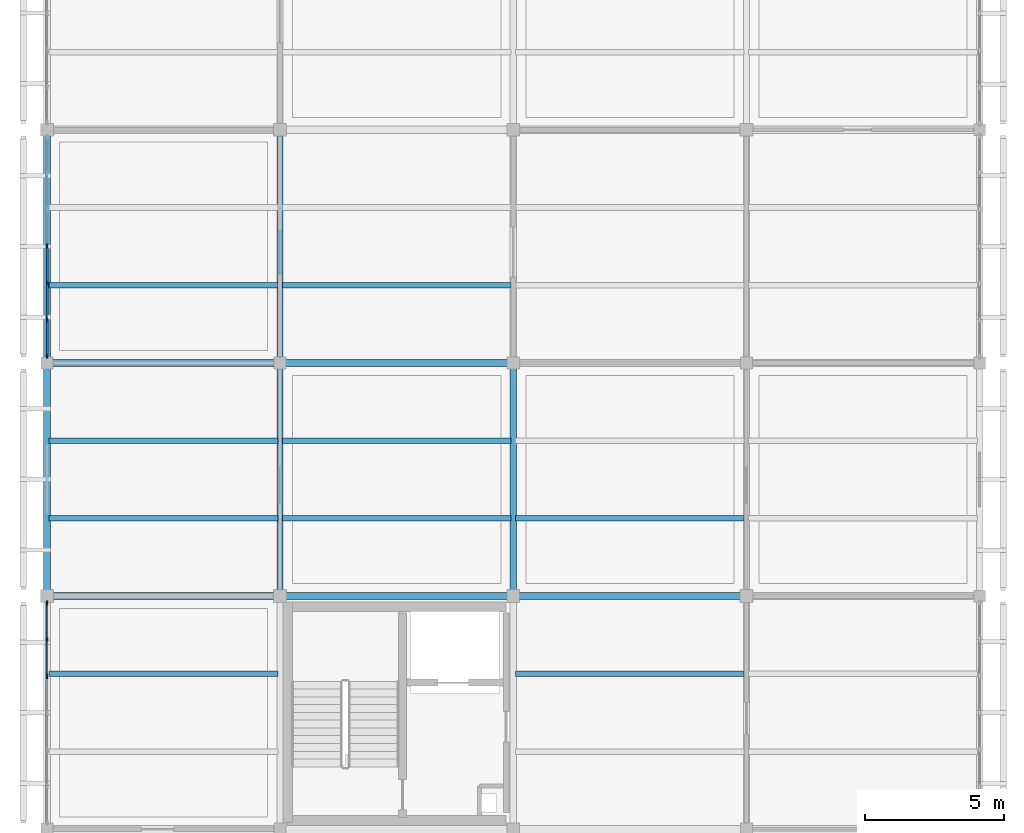
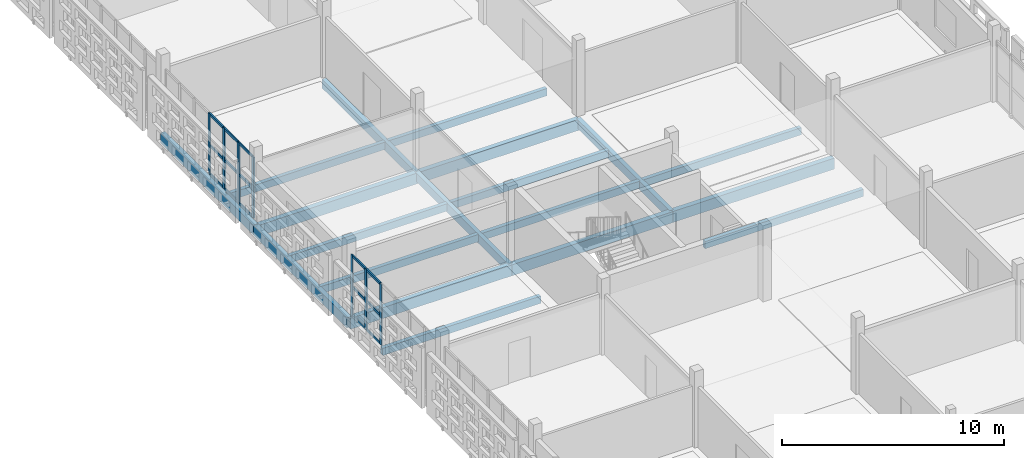
# One storey, part 39 of 140: 22 members, 19 beams, 2 elements without a shape of their own.
"""IFC4 building model written with IfcOpenShell, lengths in metres."""

from ifc_helpers import new_model, si_unit, direction, frame, origin, origin_2d, place, context, subcontext, project, spatial, rectangle, extrude, material, layer, layer_set, material_profile, profile_set, type_object, element, aggregate, save


model = new_model("IFC4")

# Units and contexts
model_context = context("Model", 3, precision=1e-05, world=origin(), true_north=direction((0.0, 1.0)))
body_context = subcontext(model_context, "Body", "Model", "MODEL_VIEW")
ifc_project = project(units=[si_unit("LENGTHUNIT", "METRE"), si_unit("AREAUNIT", "SQUARE_METRE"), si_unit("VOLUMEUNIT", "CUBIC_METRE"), si_unit("PLANEANGLEUNIT", "RADIAN"), si_unit("MASSUNIT", "GRAM", prefix="KILO")], contexts=[model_context])

# Site, building, storey
site_placement = place(None, origin())
site = spatial("IfcSite", under=ifc_project, at=site_placement, CompositionType="ELEMENT")
building_placement = place(site_placement, origin())
building = spatial("IfcBuilding", under=site, at=building_placement, Name="Varnapada Polytechnic", CompositionType="ELEMENT")
storey_placement = place(building_placement, frame((0.0, 0.0, 13.800048828125)))
storey = spatial("IfcBuildingStorey", under=building, at=storey_placement, Name="L03", CompositionType="ELEMENT", Elevation=13.800048828125)

# Beams
ifc_material_1 = material(Name="Glulam GL32h", Category="wood")
ifc_material_profile_1 = material_profile(ifc_material_1, rectangle(XDim=0.199951171875, YDim=0.39990234375, at=origin_2d()), Name="GL 200x400")
ifc_profile_set_1 = profile_set([ifc_material_profile_1], Name="Glulam GL32h")
beam_type_1 = type_object("IfcBeamType", Name="Library/laboratory glulam floor joist GJ-01 (GL 200x400)", PredefinedType="JOIST", material=ifc_profile_set_1)
for number, where, z_axis, x_axis, name in (
    (1, (0.080078125, 64.39990234375, -0.43994140625), (1.0, 0.0, 0.0), (0.0, 1.0, 0.0), "L03 floor joist 1/8.2"),
    (2, (0.080078125, 70.0, -0.43994140625), (1.0, 0.0, 0.0), (0.0, 1.0, 0.0), "L03 floor joist 1/9.1"),
    (3, (0.080078125, 72.800048828125, -0.43994140625), (1.0, 0.0, 0.0), (0.0, 1.0, 0.0), "L03 floor joist 1/9.2"),
    (4, (0.080078125, 78.39990234375, -0.43994140625), (1.0, 0.0, 0.0), (0.0, 1.0, 0.0), "L03 floor joist 1/10.1"),
    (5, (8.47998046875, 70.0, -0.43994140625), (1.0, 0.0, 0.0), (0.0, 1.0, 0.0), "L03 floor joist 2/9.1"),
    (6, (8.47998046875, 72.800048828125, -0.43994140625), (1.0, 0.0, 0.0), (0.0, 1.0, 0.0), "L03 floor joist 2/9.2"),
    (7, (8.47998046875, 78.39990234375, -0.43994140625), (1.0, 0.0, 0.0), (0.0, 1.0, 0.0), "L03 floor joist 2/10.1"),
):
    element("IfcBeam", number, at=place(storey_placement, frame(where, z_axis=z_axis, x_axis=x_axis)), inside=storey, type_object=beam_type_1, Name=name, PredefinedType="JOIST", context=body_context, shape_type="SweptSolid", body=[
        extrude(rectangle(XDim=0.199951171875, YDim=0.39990234375, at=origin_2d()), origin(), (0.0, 0.0, 1.0), 8.239990234375),
    ])
for number, where, z_axis, x_axis, name in (
    (8, (16.8798828125, 64.39990234375, -0.43994140625), (1.0, 0.0, 0.0), (0.0, 1.0, 0.0), "L03 floor joist 3/8.2"),
    (9, (16.8798828125, 70.0, -0.43994140625), (1.0, 0.0, 0.0), (0.0, 1.0, 0.0), "L03 floor joist 3/9.1"),
):
    element("IfcBeam", number, at=place(storey_placement, frame(where, z_axis=z_axis, x_axis=x_axis)), inside=storey, type_object=beam_type_1, Name=name, PredefinedType="JOIST", context=body_context, shape_type="SweptSolid", body=[
        extrude(rectangle(XDim=0.199951171875, YDim=0.39990234375, at=origin_2d()), origin(), (0.0, 0.0, 1.0), 8.240234375),
    ])

# Curtain wall, members
ifc_material_2 = material(Name="Double low-E laminated glass", Category="glass")
ifc_layer = layer(ifc_material_2, 0.179931640625)
ifc_layer_set = layer_set([ifc_layer], Name="Double low-E laminated glass")
curtain_wall_type = type_object("IfcCurtainWallType", Name="Curtain Wall CW-03", PredefinedType="NOTDEFINED", material=ifc_layer_set)
curtain_wall_1_placement = place(storey_placement, origin())
curtain_wall_1 = element("IfcCurtainWall", 10, at=curtain_wall_1_placement, inside=storey, type_object=curtain_wall_type, Name="L03 unitised curtain wall CW-03 (206)", PredefinedType="NOTDEFINED")
ifc_material_3 = material(Name="Anodised aluminium", Category="aluminium")
ifc_material_profile_2 = material_profile(ifc_material_3, rectangle(XDim=0.06494140625, YDim=0.179931640625, at=origin_2d()), Name="ALU M65x180")
ifc_profile_set_2 = profile_set([ifc_material_profile_2], Name="Anodised aluminium")
member_type_1 = type_object("IfcMemberType", Name="Mullion M-02", PredefinedType="MULLION", material=ifc_profile_set_2)
member_1_placement = place(storey_placement, frame((0.0, 64.320068359375, 0.0), z_axis=(0.0, 0.0, 1.0), x_axis=(-1.0, 0.0, 0.0)))
member_1 = element("IfcMember", 11, at=member_1_placement, type_object=member_type_1, Name="CW-03 mullion 5", PredefinedType="MULLION", context=body_context, shape_type="SweptSolid", body=[
    extrude(rectangle(XDim=0.06494140625, YDim=0.179931640625, at=origin_2d()), origin(), (0.0, 0.0, 1.0), 3.35986328125),
])
member_2_placement = place(storey_placement, frame((0.0, 65.64501953125, 0.0), z_axis=(0.0, 0.0, 1.0), x_axis=(-1.0, 0.0, 0.0)))
member_2 = element("IfcMember", 12, at=member_2_placement, type_object=member_type_1, Name="CW-03 mullion 6", PredefinedType="MULLION", context=body_context, shape_type="SweptSolid", body=[
    extrude(rectangle(XDim=0.06494140625, YDim=0.179931640625, at=origin_2d()), origin(), (0.0, 0.0, 1.0), 3.35986328125),
])
member_3_placement = place(storey_placement, frame((0.0, 66.9375, 0.0), z_axis=(0.0, 0.0, 1.0), x_axis=(-1.0, 0.0, 0.0)))
member_3 = element("IfcMember", 13, at=member_3_placement, type_object=member_type_1, Name="CW-03 mullion 7", PredefinedType="MULLION", context=body_context, shape_type="SweptSolid", body=[
    extrude(rectangle(XDim=0.06494140625, YDim=0.179931640625, at=origin_2d()), origin(), (0.0, 0.0, 1.0), 3.35986328125),
])

curtain_wall_2_placement = place(storey_placement, origin())
curtain_wall_2 = element("IfcCurtainWall", 14, at=curtain_wall_2_placement, inside=storey, type_object=curtain_wall_type, Name="L03 unitised curtain wall CW-03 (207)", PredefinedType="NOTDEFINED")
member_4_placement = place(storey_placement, frame((0.0, 75.8525390625, 0.0), z_axis=(0.0, 0.0, 1.0), x_axis=(-1.0, 0.0, 0.0)))
member_4 = element("IfcMember", 15, at=member_4_placement, type_object=member_type_1, Name="CW-03 mullion 1", PredefinedType="MULLION", context=body_context, shape_type="SweptSolid", body=[
    extrude(rectangle(XDim=0.06494140625, YDim=0.179931640625, at=origin_2d()), origin(), (0.0, 0.0, 1.0), 3.35986328125),
])
member_5_placement = place(storey_placement, frame((0.0, 77.14501953125, 0.0), z_axis=(0.0, 0.0, 1.0), x_axis=(-1.0, 0.0, 0.0)))
member_5 = element("IfcMember", 16, at=member_5_placement, type_object=member_type_1, Name="CW-03 mullion 2", PredefinedType="MULLION", context=body_context, shape_type="SweptSolid", body=[
    extrude(rectangle(XDim=0.06494140625, YDim=0.179931640625, at=origin_2d()), origin(), (0.0, 0.0, 1.0), 3.35986328125),
])
member_6_placement = place(storey_placement, frame((0.0, 78.469970703125, 0.0), z_axis=(0.0, 0.0, 1.0), x_axis=(-1.0, 0.0, 0.0)))
member_6 = element("IfcMember", 17, at=member_6_placement, type_object=member_type_1, Name="CW-03 mullion 3", PredefinedType="MULLION", context=body_context, shape_type="SweptSolid", body=[
    extrude(rectangle(XDim=0.06494140625, YDim=0.179931640625, at=origin_2d()), origin(), (0.0, 0.0, 1.0), 3.35986328125),
])
member_7_placement = place(storey_placement, frame((0.0, 79.794921875, 0.0), z_axis=(0.0, 0.0, 1.0), x_axis=(-1.0, 0.0, 0.0)))
member_7 = element("IfcMember", 18, at=member_7_placement, type_object=member_type_1, Name="CW-03 mullion 4", PredefinedType="MULLION", context=body_context, shape_type="SweptSolid", body=[
    extrude(rectangle(XDim=0.06494140625, YDim=0.179931640625, at=origin_2d()), origin(), (0.0, 0.0, 1.0), 3.35986328125),
])

# Beams
ifc_material_profile_3 = material_profile(ifc_material_1, rectangle(XDim=0.239990234375, YDim=0.56005859375, at=origin_2d()), Name="GL 240x560")
ifc_profile_set_3 = profile_set([ifc_material_profile_3], Name="Glulam GL32h")
beam_type_2 = type_object("IfcBeamType", Name="Perimeter glulam spandrel beam SP-02 (GL 240x560)", PredefinedType="SPANDREL", material=ifc_profile_set_3)
beam_1_placement = place(storey_placement, frame((0.0, 67.199951171875, -0.52001953125), z_axis=(0.0, 1.0, 0.0), x_axis=(-1.0, 0.0, 0.0)))
element("IfcBeam", 19, at=beam_1_placement, inside=storey, type_object=beam_type_2, Name="L03 beam Y 9-10 at X1", PredefinedType="SPANDREL", context=body_context, shape_type="SweptSolid", body=[
    extrude(rectangle(XDim=0.239990234375, YDim=0.56005859375, at=origin_2d()), origin(), (0.0, 0.0, 1.0), 8.400146484375),
])
beam_2_placement = place(storey_placement, frame((0.0, 75.60009765625, -0.52001953125), z_axis=(0.0, 1.0, 0.0), x_axis=(-1.0, 0.0, 0.0)))
element("IfcBeam", 20, at=beam_2_placement, inside=storey, type_object=beam_type_2, Name="L03 beam Y 10-11 at X1", PredefinedType="SPANDREL", context=body_context, shape_type="SweptSolid", body=[
    extrude(rectangle(XDim=0.239990234375, YDim=0.56005859375, at=origin_2d()), origin(), (0.0, 0.0, 1.0), 8.39990234375),
])
ifc_material_profile_4 = material_profile(ifc_material_1, rectangle(XDim=0.260009765625, YDim=0.60009765625, at=origin_2d()), Name="GL 260x600")
ifc_profile_set_4 = profile_set([ifc_material_profile_4], Name="Glulam GL32h")
beam_type_3 = type_object("IfcBeamType", Name="Seminar wing glulam girder GG-05 (GL 260x600)", PredefinedType="BEAM", material=ifc_profile_set_4)
for number, where, z_axis, x_axis, name in (
    (21, (0.0, 67.199951171875, -0.5400390625), (1.0, 0.0, 0.0), (0.0, 1.0, 0.0), "L03 beam X 1-2 at Y9"),
    (22, (0.0, 75.60009765625, -0.5400390625), (1.0, 0.0, 0.0), (0.0, 1.0, 0.0), "L03 beam X 1-2 at Y10"),
):
    element("IfcBeam", number, at=place(storey_placement, frame(where, z_axis=z_axis, x_axis=x_axis)), inside=storey, type_object=beam_type_3, Name=name, PredefinedType="BEAM", context=body_context, shape_type="SweptSolid", body=[
        extrude(rectangle(XDim=0.260009765625, YDim=0.60009765625, at=origin_2d()), origin(), (0.0, 0.0, 1.0), 8.39990234375),
    ])
for number, where, z_axis, x_axis, name in (
    (23, (8.39990234375, 67.199951171875, -0.5400390625), (1.0, 0.0, 0.0), (0.0, 1.0, 0.0), "L03 beam X 2-3 at Y9"),
    (24, (8.39990234375, 75.60009765625, -0.5400390625), (1.0, 0.0, 0.0), (0.0, 1.0, 0.0), "L03 beam X 2-3 at Y10"),
):
    element("IfcBeam", number, at=place(storey_placement, frame(where, z_axis=z_axis, x_axis=x_axis)), inside=storey, type_object=beam_type_3, Name=name, PredefinedType="BEAM", context=body_context, shape_type="SweptSolid", body=[
        extrude(rectangle(XDim=0.260009765625, YDim=0.60009765625, at=origin_2d()), origin(), (0.0, 0.0, 1.0), 8.400146484375),
    ])
beam_3_placement = place(storey_placement, frame((16.800048828125, 67.199951171875, -0.5400390625), z_axis=(1.0, 0.0, 0.0), x_axis=(0.0, 1.0, 0.0)))
element("IfcBeam", 25, at=beam_3_placement, inside=storey, type_object=beam_type_3, Name="L03 beam X 3-4 at Y9", PredefinedType="BEAM", context=body_context, shape_type="SweptSolid", body=[
    extrude(rectangle(XDim=0.260009765625, YDim=0.60009765625, at=origin_2d()), origin(), (0.0, 0.0, 1.0), 8.39990234375),
])

# Member
ifc_material_profile_5 = material_profile(ifc_material_3, rectangle(XDim=0.06494140625, YDim=0.139892578125, at=origin_2d()), Name="ALU T65x140")
ifc_profile_set_5 = profile_set([ifc_material_profile_5], Name="Anodised aluminium")
member_type_2 = type_object("IfcMemberType", Name="Transom T-02", PredefinedType="USERDEFINED", material=ifc_profile_set_5)
member_8_placement = place(storey_placement, frame((0.0, 64.3525390625, 0.032470703125), z_axis=(0.0, 1.0, 0.0), x_axis=(-1.0, 0.0, 0.0)))
member_8 = element("IfcMember", 26, at=member_8_placement, type_object=member_type_2, Name="CW-03 transom 5.1", ObjectType="TRANSOM", PredefinedType="USERDEFINED", context=body_context, shape_type="SweptSolid", body=[
    extrude(rectangle(XDim=0.06494140625, YDim=0.139892578125, at=origin_2d()), origin(), (0.0, 0.0, 1.0), 1.260009765625),
])

member_9_placement = place(storey_placement, frame((0.0, 64.3525390625, 1.61279296875), z_axis=(0.0, 1.0, 0.0), x_axis=(-1.0, 0.0, 0.0)))
member_9 = element("IfcMember", 27, at=member_9_placement, type_object=member_type_2, Name="CW-03 transom 5.2", ObjectType="TRANSOM", PredefinedType="USERDEFINED", context=body_context, shape_type="SweptSolid", body=[
    extrude(rectangle(XDim=0.06494140625, YDim=0.139892578125, at=origin_2d()), origin(), (0.0, 0.0, 1.0), 1.260009765625),
])

member_10_placement = place(storey_placement, frame((0.0, 64.3525390625, 3.327392578125), z_axis=(0.0, 1.0, 0.0), x_axis=(-1.0, 0.0, 0.0)))
member_10 = element("IfcMember", 28, at=member_10_placement, type_object=member_type_2, Name="CW-03 transom 5.3", ObjectType="TRANSOM", PredefinedType="USERDEFINED", context=body_context, shape_type="SweptSolid", body=[
    extrude(rectangle(XDim=0.06494140625, YDim=0.139892578125, at=origin_2d()), origin(), (0.0, 0.0, 1.0), 1.260009765625),
])

member_11_placement = place(storey_placement, frame((0.0, 65.677490234375, 0.032470703125), z_axis=(0.0, 1.0, 0.0), x_axis=(-1.0, 0.0, 0.0)))
member_11 = element("IfcMember", 29, at=member_11_placement, type_object=member_type_2, Name="CW-03 transom 6.1", ObjectType="TRANSOM", PredefinedType="USERDEFINED", context=body_context, shape_type="SweptSolid", body=[
    extrude(rectangle(XDim=0.06494140625, YDim=0.139892578125, at=origin_2d()), origin(), (0.0, 0.0, 1.0), 1.2275390625),
])

member_12_placement = place(storey_placement, frame((0.0, 65.677490234375, 1.61279296875), z_axis=(0.0, 1.0, 0.0), x_axis=(-1.0, 0.0, 0.0)))
member_12 = element("IfcMember", 30, at=member_12_placement, type_object=member_type_2, Name="CW-03 transom 6.2", ObjectType="TRANSOM", PredefinedType="USERDEFINED", context=body_context, shape_type="SweptSolid", body=[
    extrude(rectangle(XDim=0.06494140625, YDim=0.139892578125, at=origin_2d()), origin(), (0.0, 0.0, 1.0), 1.2275390625),
])

member_13_placement = place(storey_placement, frame((0.0, 65.677490234375, 3.327392578125), z_axis=(0.0, 1.0, 0.0), x_axis=(-1.0, 0.0, 0.0)))
member_13 = element("IfcMember", 31, at=member_13_placement, type_object=member_type_2, Name="CW-03 transom 6.3", ObjectType="TRANSOM", PredefinedType="USERDEFINED", context=body_context, shape_type="SweptSolid", body=[
    extrude(rectangle(XDim=0.06494140625, YDim=0.139892578125, at=origin_2d()), origin(), (0.0, 0.0, 1.0), 1.2275390625),
])

aggregate(curtain_wall_1, [member_1, member_2, member_3, member_8, member_9, member_10, member_11, member_12, member_13])

member_14_placement = place(storey_placement, frame((0.0, 75.885009765625, 0.032470703125), z_axis=(0.0, 1.0, 0.0), x_axis=(-1.0, 0.0, 0.0)))
member_14 = element("IfcMember", 32, at=member_14_placement, type_object=member_type_2, Name="CW-03 transom 1.1", ObjectType="TRANSOM", PredefinedType="USERDEFINED", context=body_context, shape_type="SweptSolid", body=[
    extrude(rectangle(XDim=0.06494140625, YDim=0.139892578125, at=origin_2d()), origin(), (0.0, 0.0, 1.0), 1.2275390625),
])

member_15_placement = place(storey_placement, frame((0.0, 75.885009765625, 1.61279296875), z_axis=(0.0, 1.0, 0.0), x_axis=(-1.0, 0.0, 0.0)))
member_15 = element("IfcMember", 33, at=member_15_placement, type_object=member_type_2, Name="CW-03 transom 1.2", ObjectType="TRANSOM", PredefinedType="USERDEFINED", context=body_context, shape_type="SweptSolid", body=[
    extrude(rectangle(XDim=0.06494140625, YDim=0.139892578125, at=origin_2d()), origin(), (0.0, 0.0, 1.0), 1.2275390625),
])

member_16_placement = place(storey_placement, frame((0.0, 75.885009765625, 3.327392578125), z_axis=(0.0, 1.0, 0.0), x_axis=(-1.0, 0.0, 0.0)))
member_16 = element("IfcMember", 34, at=member_16_placement, type_object=member_type_2, Name="CW-03 transom 1.3", ObjectType="TRANSOM", PredefinedType="USERDEFINED", context=body_context, shape_type="SweptSolid", body=[
    extrude(rectangle(XDim=0.06494140625, YDim=0.139892578125, at=origin_2d()), origin(), (0.0, 0.0, 1.0), 1.2275390625),
])

member_17_placement = place(storey_placement, frame((0.0, 77.177490234375, 0.032470703125), z_axis=(0.0, 1.0, 0.0), x_axis=(-1.0, 0.0, 0.0)))
member_17 = element("IfcMember", 35, at=member_17_placement, type_object=member_type_2, Name="CW-03 transom 2.1", ObjectType="TRANSOM", PredefinedType="USERDEFINED", context=body_context, shape_type="SweptSolid", body=[
    extrude(rectangle(XDim=0.06494140625, YDim=0.139892578125, at=origin_2d()), origin(), (0.0, 0.0, 1.0), 1.260009765625),
])

member_18_placement = place(storey_placement, frame((0.0, 77.177490234375, 1.61279296875), z_axis=(0.0, 1.0, 0.0), x_axis=(-1.0, 0.0, 0.0)))
member_18 = element("IfcMember", 36, at=member_18_placement, type_object=member_type_2, Name="CW-03 transom 2.2", ObjectType="TRANSOM", PredefinedType="USERDEFINED", context=body_context, shape_type="SweptSolid", body=[
    extrude(rectangle(XDim=0.06494140625, YDim=0.139892578125, at=origin_2d()), origin(), (0.0, 0.0, 1.0), 1.260009765625),
])

member_19_placement = place(storey_placement, frame((0.0, 77.177490234375, 3.327392578125), z_axis=(0.0, 1.0, 0.0), x_axis=(-1.0, 0.0, 0.0)))
member_19 = element("IfcMember", 37, at=member_19_placement, type_object=member_type_2, Name="CW-03 transom 2.3", ObjectType="TRANSOM", PredefinedType="USERDEFINED", context=body_context, shape_type="SweptSolid", body=[
    extrude(rectangle(XDim=0.06494140625, YDim=0.139892578125, at=origin_2d()), origin(), (0.0, 0.0, 1.0), 1.260009765625),
])

member_20_placement = place(storey_placement, frame((0.0, 78.50244140625, 0.032470703125), z_axis=(0.0, 1.0, 0.0), x_axis=(-1.0, 0.0, 0.0)))
member_20 = element("IfcMember", 38, at=member_20_placement, type_object=member_type_2, Name="CW-03 transom 3.1", ObjectType="TRANSOM", PredefinedType="USERDEFINED", context=body_context, shape_type="SweptSolid", body=[
    extrude(rectangle(XDim=0.06494140625, YDim=0.139892578125, at=origin_2d()), origin(), (0.0, 0.0, 1.0), 1.260009765625),
])

member_21_placement = place(storey_placement, frame((0.0, 78.50244140625, 1.61279296875), z_axis=(0.0, 1.0, 0.0), x_axis=(-1.0, 0.0, 0.0)))
member_21 = element("IfcMember", 39, at=member_21_placement, type_object=member_type_2, Name="CW-03 transom 3.2", ObjectType="TRANSOM", PredefinedType="USERDEFINED", context=body_context, shape_type="SweptSolid", body=[
    extrude(rectangle(XDim=0.06494140625, YDim=0.139892578125, at=origin_2d()), origin(), (0.0, 0.0, 1.0), 1.260009765625),
])

member_22_placement = place(storey_placement, frame((0.0, 78.50244140625, 3.327392578125), z_axis=(0.0, 1.0, 0.0), x_axis=(-1.0, 0.0, 0.0)))
member_22 = element("IfcMember", 40, at=member_22_placement, type_object=member_type_2, Name="CW-03 transom 3.3", ObjectType="TRANSOM", PredefinedType="USERDEFINED", context=body_context, shape_type="SweptSolid", body=[
    extrude(rectangle(XDim=0.06494140625, YDim=0.139892578125, at=origin_2d()), origin(), (0.0, 0.0, 1.0), 1.260009765625),
])

aggregate(curtain_wall_2, [member_4, member_5, member_6, member_7, member_14, member_15, member_16, member_17, member_18, member_19, member_20, member_21, member_22])

# Beams
ifc_material_profile_6 = material_profile(ifc_material_1, rectangle(XDim=0.219970703125, YDim=0.47998046875, at=origin_2d()), Name="GL 220x480")
ifc_profile_set_6 = profile_set([ifc_material_profile_6], Name="Glulam GL32h")
beam_type_4 = type_object("IfcBeamType", Name="Upper floor glulam tie beam GB-11 (GL 220x480)", PredefinedType="BEAM", material=ifc_profile_set_6)
beam_4_placement = place(storey_placement, frame((8.39990234375, 67.199951171875, -0.47998046875), z_axis=(0.0, 1.0, 0.0), x_axis=(-1.0, 0.0, 0.0)))
element("IfcBeam", 41, at=beam_4_placement, inside=storey, type_object=beam_type_4, Name="L03 beam Y 9-10 at X2", PredefinedType="BEAM", context=body_context, shape_type="SweptSolid", body=[
    extrude(rectangle(XDim=0.219970703125, YDim=0.47998046875, at=origin_2d()), origin(), (0.0, 0.0, 1.0), 8.400146484375),
])
beam_5_placement = place(storey_placement, frame((8.39990234375, 75.60009765625, -0.47998046875), z_axis=(0.0, 1.0, 0.0), x_axis=(-1.0, 0.0, 0.0)))
element("IfcBeam", 42, at=beam_5_placement, inside=storey, type_object=beam_type_4, Name="L03 beam Y 10-11 at X2", PredefinedType="BEAM", context=body_context, shape_type="SweptSolid", body=[
    extrude(rectangle(XDim=0.219970703125, YDim=0.47998046875, at=origin_2d()), origin(), (0.0, 0.0, 1.0), 8.39990234375),
])
beam_6_placement = place(storey_placement, frame((16.800048828125, 67.199951171875, -0.47998046875), z_axis=(0.0, 1.0, 0.0), x_axis=(-1.0, 0.0, 0.0)))
element("IfcBeam", 43, at=beam_6_placement, inside=storey, type_object=beam_type_4, Name="L03 beam Y 9-10 at X3", PredefinedType="BEAM", context=body_context, shape_type="SweptSolid", body=[
    extrude(rectangle(XDim=0.219970703125, YDim=0.47998046875, at=origin_2d()), origin(), (0.0, 0.0, 1.0), 8.400146484375),
])

save(model, "model.ifc")
